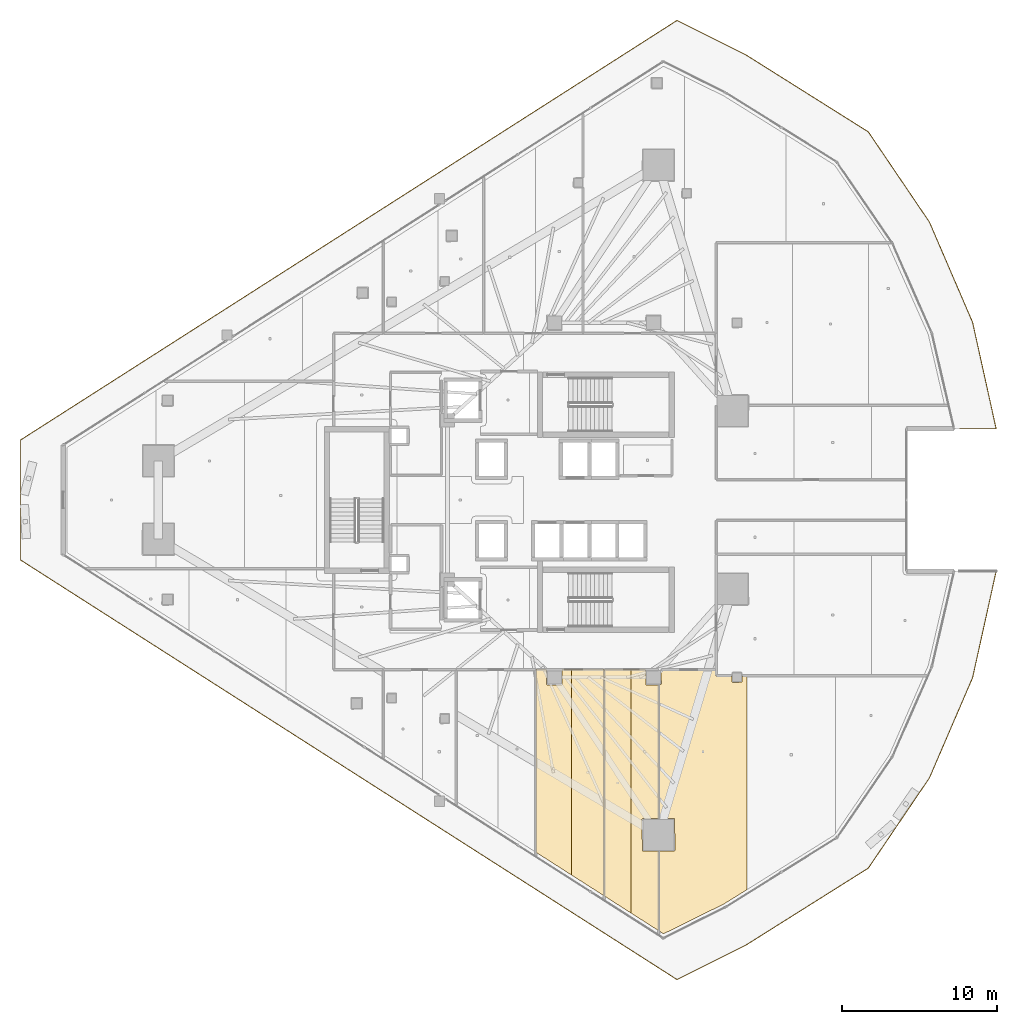
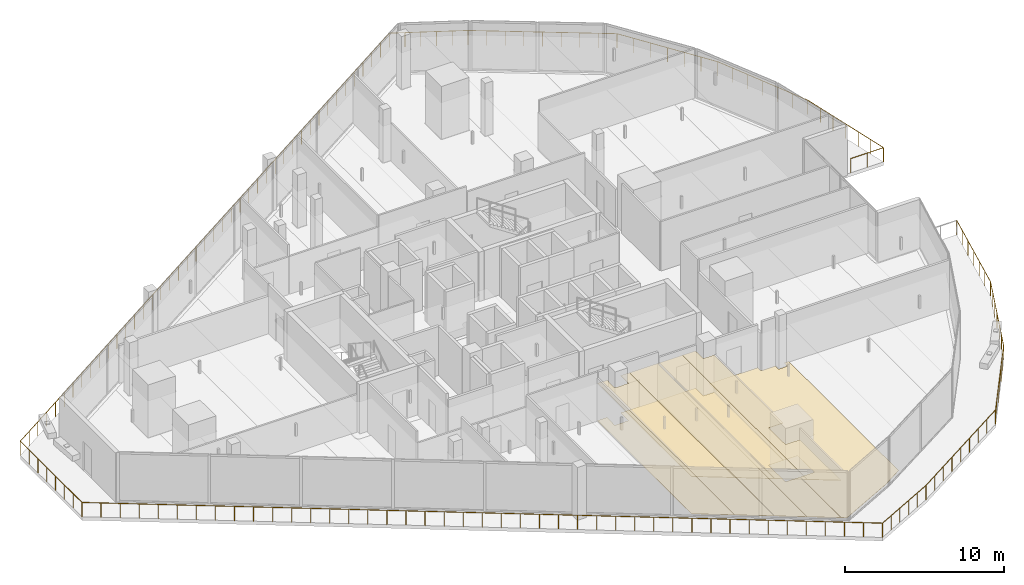
# One storey, part 33 of 37: 9 coverings, 1 railing.
"""IFC4 building model written with IfcOpenShell, lengths in metres."""

from ifc_helpers import new_model, si_unit, direction, frame, origin, origin_2d, place, context, subcontext, project, spatial, polyline, circle, outline, extrude, material, layer, layer_set, type_object, element, save


model = new_model("IFC4")

# Units and contexts
model_context = context("Model", 3, precision=1e-05, world=origin(), true_north=direction((0.0, 1.0)))
body_context = subcontext(model_context, "Body", "Model", "MODEL_VIEW")
ifc_project = project(units=[si_unit("LENGTHUNIT", "METRE"), si_unit("AREAUNIT", "SQUARE_METRE"), si_unit("VOLUMEUNIT", "CUBIC_METRE"), si_unit("PLANEANGLEUNIT", "RADIAN"), si_unit("MASSUNIT", "GRAM", prefix="KILO")], contexts=[model_context])

# Site, building, storey
site_placement = place(None, origin())
site = spatial("IfcSite", under=ifc_project, at=site_placement, CompositionType="ELEMENT")
building_placement = place(site_placement, origin())
building = spatial("IfcBuilding", under=site, at=building_placement, Name="Qorvath Tower", CompositionType="ELEMENT")
storey_placement = place(building_placement, frame((0.0, 0.0, 184.800048828125)))
storey = spatial("IfcBuildingStorey", under=building, at=storey_placement, Name="L42", CompositionType="ELEMENT", Elevation=184.800048828125)

# Coverings
ifc_material_1 = material(Name="Acoustic mineral fibre ceiling tile", Category="gypsum")
ifc_layer_1 = layer(ifc_material_1, 0.030029296875)
ifc_layer_set_1 = layer_set([ifc_layer_1], Name="COV-CEIL")
covering_type_1 = type_object("IfcCoveringType", Name="COV-CEIL", PredefinedType="CEILING", material=ifc_layer_set_1)
covering_1_placement = place(storey_placement, frame((0.0, 0.0, 2.849853515625)))
element("IfcCovering", 1, at=covering_1_placement, inside=storey, type_object=covering_type_1, Name="L42 Suspended Acoustic Ceiling 020", PredefinedType="CEILING", context=body_context, shape_type="SweptSolid", body=[
    extrude(outline(polyline([(-24.0947265625, -10.962890625), (-24.779541015625, -10.962890625), (-24.779541015625, -22.76123046875), (-22.486572265625, -24.226806640625), (-22.486572265625, -10.962890625), (-23.105224609375, -10.962890625), (-23.107666015625, -11.9423828125), (-24.050048828125, -11.9599609375), (-24.110107421875, -11.89990234375), (-24.0947265625, -10.962890625)])), origin(), (0.0, 0.0, 1.0), 0.030029296875),
])
covering_2_placement = place(storey_placement, frame((0.0, 0.0, 2.849853515625)))
element("IfcCovering", 2, at=covering_2_placement, inside=storey, type_object=covering_type_1, Name="L42 Suspended Acoustic Ceiling 021", PredefinedType="CEILING", context=body_context, shape_type="SweptSolid", body=[
    extrude(outline(polyline([(-22.486572265625, -10.962890625), (-22.486572265625, -24.226806640625), (-20.387451171875, -25.568359375), (-20.387451171875, -10.962890625), (-22.486572265625, -10.962890625)])), origin(), (0.0, 0.0, 1.0), 0.030029296875),
])
covering_3_placement = place(storey_placement, frame((0.0, 0.0, 2.849853515625)))
element("IfcCovering", 3, at=covering_3_placement, inside=storey, type_object=covering_type_1, Name="L42 Suspended Acoustic Ceiling 022", PredefinedType="CEILING", context=body_context, shape_type="SweptSolid", body=[
    extrude(outline(polyline([(-18.646484375, -26.68115234375), (-18.646484375, -10.962890625), (-20.369384765625, -10.962890625), (-20.369384765625, -25.579833984375), (-18.646484375, -26.68115234375)])), origin(), (0.0, 0.0, 1.0), 0.030029296875),
])
covering_4_placement = place(storey_placement, frame((0.0, 0.0, 2.849853515625)))
element("IfcCovering", 4, at=covering_4_placement, inside=storey, type_object=covering_type_1, Name="L42 Suspended Acoustic Ceiling 023", PredefinedType="CEILING", context=body_context, shape_type="SweptSolid", body=[
    extrude(outline(polyline([(-17.87158203125, -20.567138671875), (-16.86474609375, -20.567138671875), (-16.86474609375, -11.9599609375), (-17.6923828125, -11.9423828125), (-17.694580078125, -10.962890625), (-18.646484375, -10.962890625), (-18.646484375, -26.68115234375), (-16.86474609375, -27.81982421875), (-16.86474609375, -22.68701171875), (-17.9140625, -22.66943359375), (-17.931640625, -20.627197265625), (-17.87158203125, -20.567138671875)])), origin(), (0.0, 0.0, 1.0), 0.030029296875),
])
ifc_material_2 = material(Name="Low-VOC modular carpet tile", Category="textile")
ifc_layer_2 = layer(ifc_material_2, 0.014892578125)
ifc_layer_set_2 = layer_set([ifc_layer_2], Name="COV-FLOOR-CPT")
covering_type_2 = type_object("IfcCoveringType", Name="COV-FLOOR-CPT", PredefinedType="FLOORING", material=ifc_layer_set_2)
covering_5_placement = place(storey_placement, origin())
element("IfcCovering", 5, at=covering_5_placement, inside=storey, type_object=covering_type_2, Name="L42 Floor Finish 020", PredefinedType="FLOORING", context=body_context, shape_type="SweptSolid", body=[
    extrude(outline(polyline([(-24.0947265625, -10.962890625), (-24.779541015625, -10.962890625), (-24.779541015625, -22.76123046875), (-22.486572265625, -24.226806640625), (-22.486572265625, -10.962890625), (-23.105224609375, -10.962890625), (-23.107666015625, -11.9423828125), (-24.050048828125, -11.9599609375), (-24.110107421875, -11.89990234375), (-24.0947265625, -10.962890625)])), origin(), (0.0, 0.0, 1.0), 0.014892578125),
])
covering_6_placement = place(storey_placement, origin())
element("IfcCovering", 6, at=covering_6_placement, inside=storey, type_object=covering_type_2, Name="L42 Floor Finish 021", PredefinedType="FLOORING", context=body_context, shape_type="SweptSolid", body=[
    extrude(outline(polyline([(-22.486572265625, -10.962890625), (-22.486572265625, -24.226806640625), (-20.387451171875, -25.568359375), (-20.387451171875, -10.962890625), (-22.486572265625, -10.962890625)])), origin(), (0.0, 0.0, 1.0), 0.014892578125),
])
covering_7_placement = place(storey_placement, origin())
element("IfcCovering", 7, at=covering_7_placement, inside=storey, type_object=covering_type_2, Name="L42 Floor Finish 022", PredefinedType="FLOORING", context=body_context, shape_type="SweptSolid", body=[
    extrude(outline(polyline([(-18.646484375, -26.68115234375), (-18.646484375, -10.962890625), (-20.369384765625, -10.962890625), (-20.369384765625, -25.579833984375), (-18.646484375, -26.68115234375)])), origin(), (0.0, 0.0, 1.0), 0.014892578125),
])
covering_8_placement = place(storey_placement, origin())
element("IfcCovering", 8, at=covering_8_placement, inside=storey, type_object=covering_type_2, Name="L42 Floor Finish 023", PredefinedType="FLOORING", context=body_context, shape_type="SweptSolid", body=[
    extrude(outline(polyline([(-17.87158203125, -20.567138671875), (-16.86474609375, -20.567138671875), (-16.86474609375, -11.9599609375), (-17.6923828125, -11.9423828125), (-17.694580078125, -10.962890625), (-18.646484375, -10.962890625), (-18.646484375, -26.68115234375), (-16.86474609375, -27.81982421875), (-16.86474609375, -22.68701171875), (-17.9140625, -22.66943359375), (-17.931640625, -20.627197265625), (-17.87158203125, -20.567138671875)])), origin(), (0.0, 0.0, 1.0), 0.014892578125),
])
covering_9_placement = place(storey_placement, origin())
element("IfcCovering", 9, at=covering_9_placement, inside=storey, type_object=covering_type_2, Name="L42 Floor Finish 024", PredefinedType="FLOORING", context=body_context, shape_type="SweptSolid", body=[
    extrude(outline(polyline([(-16.8466796875, -27.83154296875), (-16.5458984375, -28.023681640625), (-12.6318359375, -26.089111328125), (-11.142578125, -25.159912109375), (-11.142578125, -11.35888671875), (-11.465087890625, -11.358642578125), (-11.482666015625, -11.767333984375), (-12.074951171875, -11.784912109375), (-12.135009765625, -11.72509765625), (-12.135009765625, -11.359375), (-13.153564453125, -11.357177734375), (-13.155029296875, -10.962890625), (-16.7021484375, -10.970703125), (-16.68994140625, -11.89990234375), (-16.8466796875, -11.9599609375), (-16.8466796875, -20.567138671875), (-15.829345703125, -20.584716796875), (-15.811767578125, -22.627197265625), (-15.87158203125, -22.68701171875), (-16.8466796875, -22.68701171875), (-16.8466796875, -27.83154296875)])), origin(), (0.0, 0.0, 1.0), 0.014892578125),
])

# Railing
ifc_material_3 = material(Name="Laminated safety glass and stainless steel AISI 316", Category="steel")
railing_type = type_object("IfcRailingType", Name="RL-EXT-GRD", PredefinedType="GUARDRAIL", material=ifc_material_3)
railing_placement = place(storey_placement, frame((4.9453125, -4.600830078125, 0.0)))
element("IfcRailing", 10, at=railing_placement, inside=storey, type_object=railing_type, Name="Loggia Perimeter Guardrail L42-1.1", PredefinedType="GUARDRAIL", context=body_context, shape_type="SweptSolid", body=[
    extrude(circle(Radius=0.02392578125, at=origin_2d()), frame((0.0, 0.0, 1.09619140625), z_axis=(-0.216101134356, -0.976370984683, 0.0), x_axis=(0.976370984683, -0.216101134356, 0.0)), (0.0, 0.0, 1.0), 7.045166015625),
    extrude(circle(Radius=0.02392578125, at=origin_2d()), frame((-1.5224609375, -6.878662109375, 1.09619140625), z_axis=(-0.395478650481, -0.918475169514, 0.0), x_axis=(0.918475169514, -0.395478650481, 0.0)), (0.0, 0.0, 1.0), 7.045654296875),
    extrude(circle(Radius=0.02392578125, at=origin_2d()), frame((-4.308837890625, -13.349853515625, 1.09619140625), z_axis=(-0.560826690673, -0.827933223774, 0.0), x_axis=(0.827933223774, -0.560826690673, 0.0)), (0.0, 0.0, 1.0), 7.045166015625),
    extrude(circle(Radius=0.02392578125, at=origin_2d()), frame((-8.260009765625, -19.182861328125, 1.09619140625), z_axis=(-0.84650166767, -0.532386069157, 0.0), x_axis=(0.532386069157, -0.84650166767, 0.0)), (0.0, 0.0, 1.0), 9.36865234375),
    extrude(circle(Radius=0.02392578125, at=origin_2d()), frame((-16.190673828125, -24.170654296875, 1.09619140625), z_axis=(-0.894437057166, -0.447193862623, 0.0), x_axis=(0.447193862623, -0.894437057166, 0.0)), (0.0, 0.0, 1.0), 4.948974609375),
    extrude(circle(Radius=0.02392578125, at=origin_2d()), frame((-20.6171875, -26.3837890625, 1.09619140625), z_axis=(-0.84260371591, 0.538534100996, 0.0), x_axis=(-0.538534100996, -0.84260371591, 0.0)), (0.0, 0.0, 1.0), 50.34326171875),
    extrude(circle(Radius=0.02392578125, at=origin_2d()), frame((-63.03662109375, 0.727783203125, 1.09619140625), z_axis=(0.0, 1.0, 0.0), x_axis=(-1.0, 0.0, 0.0)), (0.0, 0.0, 1.0), 7.74609375),
    extrude(circle(Radius=0.02392578125, at=origin_2d()), frame((-63.03662109375, 8.473876953125, 1.09619140625), z_axis=(0.84260371591, 0.538534100996, 0.0), x_axis=(-0.538534100996, 0.84260371591, 0.0)), (0.0, 0.0, 1.0), 50.34326171875),
    extrude(circle(Radius=0.02392578125, at=origin_2d()), frame((-20.6171875, 35.58544921875, 1.09619140625), z_axis=(0.894437057166, -0.447193862623, 0.0), x_axis=(0.447193862623, 0.894437057166, 0.0)), (0.0, 0.0, 1.0), 4.948974609375),
    extrude(circle(Radius=0.02392578125, at=origin_2d()), frame((-16.190673828125, 33.372314453125, 1.09619140625), z_axis=(0.84650166767, -0.532386069157, 0.0), x_axis=(0.532386069157, 0.84650166767, 0.0)), (0.0, 0.0, 1.0), 9.36865234375),
    extrude(circle(Radius=0.02392578125, at=origin_2d()), frame((-8.260009765625, 28.384521484375, 1.09619140625), z_axis=(0.560826690673, -0.827933223774, 0.0), x_axis=(0.827933223774, 0.560826690673, 0.0)), (0.0, 0.0, 1.0), 7.045166015625),
    extrude(circle(Radius=0.02392578125, at=origin_2d()), frame((-4.308837890625, 22.551513671875, 1.09619140625), z_axis=(0.395478650481, -0.918475169514, 0.0), x_axis=(0.918475169514, 0.395478650481, 0.0)), (0.0, 0.0, 1.0), 7.045654296875),
    extrude(circle(Radius=0.02392578125, at=origin_2d()), frame((-1.5224609375, 16.080322265625, 1.09619140625), z_axis=(0.216101134356, -0.976370984683, 0.0), x_axis=(0.976370984683, 0.216101134356, 0.0)), (0.0, 0.0, 1.0), 7.045166015625),
    extrude(circle(Radius=0.02392578125, at=origin_2d()), frame((0.0, 9.20166015625, 1.09619140625), z_axis=(-1.0, 0.0, 0.0), x_axis=(0.0, -1.0, 0.0)), (0.0, 0.0, 1.0), 2.36669921875),
    extrude(circle(Radius=0.02099609375, at=origin_2d()), origin(), (0.0, 0.0, 1.0), 1.072021484375),
    extrude(circle(Radius=0.02099609375, at=origin_2d()), frame((-0.253662109375, -1.146484375, 0.0)), (0.0, 0.0, 1.0), 1.072021484375),
    extrude(circle(Radius=0.02099609375, at=origin_2d()), frame((-0.507568359375, -2.29296875, 0.0)), (0.0, 0.0, 1.0), 1.072021484375),
    extrude(circle(Radius=0.02099609375, at=origin_2d()), frame((-0.76123046875, -3.439453125, 0.0)), (0.0, 0.0, 1.0), 1.072021484375),
    extrude(circle(Radius=0.02099609375, at=origin_2d()), frame((-1.014892578125, -4.585693359375, 0.0)), (0.0, 0.0, 1.0), 1.072021484375),
    extrude(circle(Radius=0.02099609375, at=origin_2d()), frame((-1.268798828125, -5.732177734375, 0.0)), (0.0, 0.0, 1.0), 1.072021484375),
    extrude(circle(Radius=0.02099609375, at=origin_2d()), frame((-1.5224609375, -6.878662109375, 0.0)), (0.0, 0.0, 1.0), 1.072021484375),
    extrude(circle(Radius=0.02099609375, at=origin_2d()), frame((-1.98681640625, -7.957275390625, 0.0)), (0.0, 0.0, 1.0), 1.072021484375),
    extrude(circle(Radius=0.02099609375, at=origin_2d()), frame((-2.451171875, -9.03564453125, 0.0)), (0.0, 0.0, 1.0), 1.072021484375),
    extrude(circle(Radius=0.02099609375, at=origin_2d()), frame((-2.91552734375, -10.1142578125, 0.0)), (0.0, 0.0, 1.0), 1.072021484375),
    extrude(circle(Radius=0.02099609375, at=origin_2d()), frame((-3.380126953125, -11.19287109375, 0.0)), (0.0, 0.0, 1.0), 1.072021484375),
    extrude(circle(Radius=0.02099609375, at=origin_2d()), frame((-3.844482421875, -12.271240234375, 0.0)), (0.0, 0.0, 1.0), 1.072021484375),
    extrude(circle(Radius=0.02099609375, at=origin_2d()), frame((-4.308837890625, -13.349853515625, 0.0)), (0.0, 0.0, 1.0), 1.072021484375),
    extrude(circle(Radius=0.02099609375, at=origin_2d()), frame((-4.96728515625, -14.322021484375, 0.0)), (0.0, 0.0, 1.0), 1.072021484375),
    extrude(circle(Radius=0.02099609375, at=origin_2d()), frame((-5.6259765625, -15.294189453125, 0.0)), (0.0, 0.0, 1.0), 1.072021484375),
    extrude(circle(Radius=0.02099609375, at=origin_2d()), frame((-6.284423828125, -16.266357421875, 0.0)), (0.0, 0.0, 1.0), 1.072021484375),
    extrude(circle(Radius=0.02099609375, at=origin_2d()), frame((-6.94287109375, -17.238525390625, 0.0)), (0.0, 0.0, 1.0), 1.072021484375),
    extrude(circle(Radius=0.02099609375, at=origin_2d()), frame((-7.6015625, -18.210693359375, 0.0)), (0.0, 0.0, 1.0), 1.072021484375),
    extrude(circle(Radius=0.02099609375, at=origin_2d()), frame((-8.260009765625, -19.182861328125, 0.0)), (0.0, 0.0, 1.0), 1.072021484375),
    extrude(circle(Radius=0.02099609375, at=origin_2d()), frame((-9.25146484375, -19.806396484375, 0.0)), (0.0, 0.0, 1.0), 1.072021484375),
    extrude(circle(Radius=0.02099609375, at=origin_2d()), frame((-10.24267578125, -20.4296875, 0.0)), (0.0, 0.0, 1.0), 1.072021484375),
    extrude(circle(Radius=0.02099609375, at=origin_2d()), frame((-11.23388671875, -21.05322265625, 0.0)), (0.0, 0.0, 1.0), 1.072021484375),
    extrude(circle(Radius=0.02099609375, at=origin_2d()), frame((-12.225341796875, -21.6767578125, 0.0)), (0.0, 0.0, 1.0), 1.072021484375),
    extrude(circle(Radius=0.02099609375, at=origin_2d()), frame((-13.216796875, -22.30029296875, 0.0)), (0.0, 0.0, 1.0), 1.072021484375),
    extrude(circle(Radius=0.02099609375, at=origin_2d()), frame((-14.2080078125, -22.923828125, 0.0)), (0.0, 0.0, 1.0), 1.072021484375),
    extrude(circle(Radius=0.02099609375, at=origin_2d()), frame((-15.19921875, -23.547119140625, 0.0)), (0.0, 0.0, 1.0), 1.072021484375),
    extrude(circle(Radius=0.02099609375, at=origin_2d()), frame((-16.190673828125, -24.170654296875, 0.0)), (0.0, 0.0, 1.0), 1.072021484375),
    extrude(circle(Radius=0.02099609375, at=origin_2d()), frame((-17.075927734375, -24.61328125, 0.0)), (0.0, 0.0, 1.0), 1.072021484375),
    extrude(circle(Radius=0.02099609375, at=origin_2d()), frame((-17.961181640625, -25.055908203125, 0.0)), (0.0, 0.0, 1.0), 1.072021484375),
    extrude(circle(Radius=0.02099609375, at=origin_2d()), frame((-18.8466796875, -25.49853515625, 0.0)), (0.0, 0.0, 1.0), 1.072021484375),
    extrude(circle(Radius=0.02099609375, at=origin_2d()), frame((-19.73193359375, -25.941162109375, 0.0)), (0.0, 0.0, 1.0), 1.072021484375),
    extrude(circle(Radius=0.02099609375, at=origin_2d()), frame((-20.6171875, -26.3837890625, 0.0)), (0.0, 0.0, 1.0), 1.072021484375),
    extrude(circle(Radius=0.02099609375, at=origin_2d()), frame((-21.627197265625, -25.73828125, 0.0)), (0.0, 0.0, 1.0), 1.072021484375),
    extrude(circle(Radius=0.02099609375, at=origin_2d()), frame((-22.63720703125, -25.0927734375, 0.0)), (0.0, 0.0, 1.0), 1.072021484375),
    extrude(circle(Radius=0.02099609375, at=origin_2d()), frame((-23.647216796875, -24.447265625, 0.0)), (0.0, 0.0, 1.0), 1.072021484375),
    extrude(circle(Radius=0.02099609375, at=origin_2d()), frame((-24.6572265625, -23.8017578125, 0.0)), (0.0, 0.0, 1.0), 1.072021484375),
    extrude(circle(Radius=0.02099609375, at=origin_2d()), frame((-25.667236328125, -23.15625, 0.0)), (0.0, 0.0, 1.0), 1.072021484375),
    extrude(circle(Radius=0.02099609375, at=origin_2d()), frame((-26.677001953125, -22.5107421875, 0.0)), (0.0, 0.0, 1.0), 1.072021484375),
    extrude(circle(Radius=0.02099609375, at=origin_2d()), frame((-27.68701171875, -21.865234375, 0.0)), (0.0, 0.0, 1.0), 1.072021484375),
    extrude(circle(Radius=0.02099609375, at=origin_2d()), frame((-28.697021484375, -21.2197265625, 0.0)), (0.0, 0.0, 1.0), 1.072021484375),
    extrude(circle(Radius=0.02099609375, at=origin_2d()), frame((-29.70703125, -20.57421875, 0.0)), (0.0, 0.0, 1.0), 1.072021484375),
    extrude(circle(Radius=0.02099609375, at=origin_2d()), frame((-30.717041015625, -19.9287109375, 0.0)), (0.0, 0.0, 1.0), 1.072021484375),
    extrude(circle(Radius=0.02099609375, at=origin_2d()), frame((-31.72705078125, -19.283203125, 0.0)), (0.0, 0.0, 1.0), 1.072021484375),
    extrude(circle(Radius=0.02099609375, at=origin_2d()), frame((-32.737060546875, -18.6376953125, 0.0)), (0.0, 0.0, 1.0), 1.072021484375),
    extrude(circle(Radius=0.02099609375, at=origin_2d()), frame((-33.7470703125, -17.9921875, 0.0)), (0.0, 0.0, 1.0), 1.072021484375),
    extrude(circle(Radius=0.02099609375, at=origin_2d()), frame((-34.757080078125, -17.3466796875, 0.0)), (0.0, 0.0, 1.0), 1.072021484375),
    extrude(circle(Radius=0.02099609375, at=origin_2d()), frame((-35.76708984375, -16.701171875, 0.0)), (0.0, 0.0, 1.0), 1.072021484375),
    extrude(circle(Radius=0.02099609375, at=origin_2d()), frame((-36.77685546875, -16.0556640625, 0.0)), (0.0, 0.0, 1.0), 1.072021484375),
    extrude(circle(Radius=0.02099609375, at=origin_2d()), frame((-37.786865234375, -15.41015625, 0.0)), (0.0, 0.0, 1.0), 1.072021484375),
    extrude(circle(Radius=0.02099609375, at=origin_2d()), frame((-38.796875, -14.7646484375, 0.0)), (0.0, 0.0, 1.0), 1.072021484375),
    extrude(circle(Radius=0.02099609375, at=origin_2d()), frame((-39.806884765625, -14.119140625, 0.0)), (0.0, 0.0, 1.0), 1.072021484375),
    extrude(circle(Radius=0.02099609375, at=origin_2d()), frame((-40.81689453125, -13.4736328125, 0.0)), (0.0, 0.0, 1.0), 1.072021484375),
    extrude(circle(Radius=0.02099609375, at=origin_2d()), frame((-41.826904296875, -12.828125, 0.0)), (0.0, 0.0, 1.0), 1.072021484375),
    extrude(circle(Radius=0.02099609375, at=origin_2d()), frame((-42.8369140625, -12.182373046875, 0.0)), (0.0, 0.0, 1.0), 1.072021484375),
    extrude(circle(Radius=0.02099609375, at=origin_2d()), frame((-43.846923828125, -11.536865234375, 0.0)), (0.0, 0.0, 1.0), 1.072021484375),
    extrude(circle(Radius=0.02099609375, at=origin_2d()), frame((-44.85693359375, -10.891357421875, 0.0)), (0.0, 0.0, 1.0), 1.072021484375),
    extrude(circle(Radius=0.02099609375, at=origin_2d()), frame((-45.866943359375, -10.245849609375, 0.0)), (0.0, 0.0, 1.0), 1.072021484375),
    extrude(circle(Radius=0.02099609375, at=origin_2d()), frame((-46.876953125, -9.600341796875, 0.0)), (0.0, 0.0, 1.0), 1.072021484375),
    extrude(circle(Radius=0.02099609375, at=origin_2d()), frame((-47.88671875, -8.954833984375, 0.0)), (0.0, 0.0, 1.0), 1.072021484375),
    extrude(circle(Radius=0.02099609375, at=origin_2d()), frame((-48.896728515625, -8.309326171875, 0.0)), (0.0, 0.0, 1.0), 1.072021484375),
    extrude(circle(Radius=0.02099609375, at=origin_2d()), frame((-49.90673828125, -7.663818359375, 0.0)), (0.0, 0.0, 1.0), 1.072021484375),
    extrude(circle(Radius=0.02099609375, at=origin_2d()), frame((-50.916748046875, -7.018310546875, 0.0)), (0.0, 0.0, 1.0), 1.072021484375),
    extrude(circle(Radius=0.02099609375, at=origin_2d()), frame((-51.9267578125, -6.372802734375, 0.0)), (0.0, 0.0, 1.0), 1.072021484375),
    extrude(circle(Radius=0.02099609375, at=origin_2d()), frame((-52.936767578125, -5.727294921875, 0.0)), (0.0, 0.0, 1.0), 1.072021484375),
    extrude(circle(Radius=0.02099609375, at=origin_2d()), frame((-53.94677734375, -5.081787109375, 0.0)), (0.0, 0.0, 1.0), 1.072021484375),
    extrude(circle(Radius=0.02099609375, at=origin_2d()), frame((-54.956787109375, -4.436279296875, 0.0)), (0.0, 0.0, 1.0), 1.072021484375),
    extrude(circle(Radius=0.02099609375, at=origin_2d()), frame((-55.966796875, -3.790771484375, 0.0)), (0.0, 0.0, 1.0), 1.072021484375),
    extrude(circle(Radius=0.02099609375, at=origin_2d()), frame((-56.976806640625, -3.145263671875, 0.0)), (0.0, 0.0, 1.0), 1.072021484375),
    extrude(circle(Radius=0.02099609375, at=origin_2d()), frame((-57.986572265625, -2.499755859375, 0.0)), (0.0, 0.0, 1.0), 1.072021484375),
    extrude(circle(Radius=0.02099609375, at=origin_2d()), frame((-58.99658203125, -1.854248046875, 0.0)), (0.0, 0.0, 1.0), 1.072021484375),
    extrude(circle(Radius=0.02099609375, at=origin_2d()), frame((-60.006591796875, -1.208740234375, 0.0)), (0.0, 0.0, 1.0), 1.072021484375),
    extrude(circle(Radius=0.02099609375, at=origin_2d()), frame((-61.0166015625, -0.563232421875, 0.0)), (0.0, 0.0, 1.0), 1.072021484375),
    extrude(circle(Radius=0.02099609375, at=origin_2d()), frame((-62.026611328125, 0.082275390625, 0.0)), (0.0, 0.0, 1.0), 1.072021484375),
    extrude(circle(Radius=0.02099609375, at=origin_2d()), frame((-63.03662109375, 0.727783203125, 0.0)), (0.0, 0.0, 1.0), 1.072021484375),
    extrude(circle(Radius=0.02099609375, at=origin_2d()), frame((-63.03662109375, 1.83447265625, 0.0)), (0.0, 0.0, 1.0), 1.072021484375),
    extrude(circle(Radius=0.02099609375, at=origin_2d()), frame((-63.03662109375, 2.94091796875, 0.0)), (0.0, 0.0, 1.0), 1.072021484375),
    extrude(circle(Radius=0.02099609375, at=origin_2d()), frame((-63.03662109375, 4.047607421875, 0.0)), (0.0, 0.0, 1.0), 1.072021484375),
    extrude(circle(Radius=0.02099609375, at=origin_2d()), frame((-63.03662109375, 5.154052734375, 0.0)), (0.0, 0.0, 1.0), 1.072021484375),
    extrude(circle(Radius=0.02099609375, at=origin_2d()), frame((-63.03662109375, 6.2607421875, 0.0)), (0.0, 0.0, 1.0), 1.072021484375),
    extrude(circle(Radius=0.02099609375, at=origin_2d()), frame((-63.03662109375, 7.3671875, 0.0)), (0.0, 0.0, 1.0), 1.072021484375),
    extrude(circle(Radius=0.02099609375, at=origin_2d()), frame((-63.03662109375, 8.473876953125, 0.0)), (0.0, 0.0, 1.0), 1.072021484375),
    extrude(circle(Radius=0.02099609375, at=origin_2d()), frame((-62.026611328125, 9.119384765625, 0.0)), (0.0, 0.0, 1.0), 1.072021484375),
    extrude(circle(Radius=0.02099609375, at=origin_2d()), frame((-61.0166015625, 9.764892578125, 0.0)), (0.0, 0.0, 1.0), 1.072021484375),
    extrude(circle(Radius=0.02099609375, at=origin_2d()), frame((-60.006591796875, 10.410400390625, 0.0)), (0.0, 0.0, 1.0), 1.072021484375),
    extrude(circle(Radius=0.02099609375, at=origin_2d()), frame((-58.99658203125, 11.055908203125, 0.0)), (0.0, 0.0, 1.0), 1.072021484375),
    extrude(circle(Radius=0.02099609375, at=origin_2d()), frame((-57.986572265625, 11.701416015625, 0.0)), (0.0, 0.0, 1.0), 1.072021484375),
    extrude(circle(Radius=0.02099609375, at=origin_2d()), frame((-56.976806640625, 12.346923828125, 0.0)), (0.0, 0.0, 1.0), 1.072021484375),
    extrude(circle(Radius=0.02099609375, at=origin_2d()), frame((-55.966796875, 12.992431640625, 0.0)), (0.0, 0.0, 1.0), 1.072021484375),
    extrude(circle(Radius=0.02099609375, at=origin_2d()), frame((-54.956787109375, 13.637939453125, 0.0)), (0.0, 0.0, 1.0), 1.072021484375),
    extrude(circle(Radius=0.02099609375, at=origin_2d()), frame((-53.94677734375, 14.283447265625, 0.0)), (0.0, 0.0, 1.0), 1.072021484375),
    extrude(circle(Radius=0.02099609375, at=origin_2d()), frame((-52.936767578125, 14.928955078125, 0.0)), (0.0, 0.0, 1.0), 1.072021484375),
    extrude(circle(Radius=0.02099609375, at=origin_2d()), frame((-51.9267578125, 15.574462890625, 0.0)), (0.0, 0.0, 1.0), 1.072021484375),
    extrude(circle(Radius=0.02099609375, at=origin_2d()), frame((-50.916748046875, 16.219970703125, 0.0)), (0.0, 0.0, 1.0), 1.072021484375),
    extrude(circle(Radius=0.02099609375, at=origin_2d()), frame((-49.90673828125, 16.865478515625, 0.0)), (0.0, 0.0, 1.0), 1.072021484375),
    extrude(circle(Radius=0.02099609375, at=origin_2d()), frame((-48.896728515625, 17.510986328125, 0.0)), (0.0, 0.0, 1.0), 1.072021484375),
    extrude(circle(Radius=0.02099609375, at=origin_2d()), frame((-47.88671875, 18.156494140625, 0.0)), (0.0, 0.0, 1.0), 1.072021484375),
    extrude(circle(Radius=0.02099609375, at=origin_2d()), frame((-46.876953125, 18.802001953125, 0.0)), (0.0, 0.0, 1.0), 1.072021484375),
    extrude(circle(Radius=0.02099609375, at=origin_2d()), frame((-45.866943359375, 19.447509765625, 0.0)), (0.0, 0.0, 1.0), 1.072021484375),
    extrude(circle(Radius=0.02099609375, at=origin_2d()), frame((-44.85693359375, 20.093017578125, 0.0)), (0.0, 0.0, 1.0), 1.072021484375),
    extrude(circle(Radius=0.02099609375, at=origin_2d()), frame((-43.846923828125, 20.738525390625, 0.0)), (0.0, 0.0, 1.0), 1.072021484375),
    extrude(circle(Radius=0.02099609375, at=origin_2d()), frame((-42.8369140625, 21.384033203125, 0.0)), (0.0, 0.0, 1.0), 1.072021484375),
    extrude(circle(Radius=0.02099609375, at=origin_2d()), frame((-41.826904296875, 22.02978515625, 0.0)), (0.0, 0.0, 1.0), 1.072021484375),
    extrude(circle(Radius=0.02099609375, at=origin_2d()), frame((-40.81689453125, 22.67529296875, 0.0)), (0.0, 0.0, 1.0), 1.072021484375),
    extrude(circle(Radius=0.02099609375, at=origin_2d()), frame((-39.806884765625, 23.32080078125, 0.0)), (0.0, 0.0, 1.0), 1.072021484375),
    extrude(circle(Radius=0.02099609375, at=origin_2d()), frame((-38.796875, 23.96630859375, 0.0)), (0.0, 0.0, 1.0), 1.072021484375),
    extrude(circle(Radius=0.02099609375, at=origin_2d()), frame((-37.786865234375, 24.61181640625, 0.0)), (0.0, 0.0, 1.0), 1.072021484375),
    extrude(circle(Radius=0.02099609375, at=origin_2d()), frame((-36.77685546875, 25.25732421875, 0.0)), (0.0, 0.0, 1.0), 1.072021484375),
    extrude(circle(Radius=0.02099609375, at=origin_2d()), frame((-35.76708984375, 25.90283203125, 0.0)), (0.0, 0.0, 1.0), 1.072021484375),
    extrude(circle(Radius=0.02099609375, at=origin_2d()), frame((-34.757080078125, 26.54833984375, 0.0)), (0.0, 0.0, 1.0), 1.072021484375),
    extrude(circle(Radius=0.02099609375, at=origin_2d()), frame((-33.7470703125, 27.19384765625, 0.0)), (0.0, 0.0, 1.0), 1.072021484375),
    extrude(circle(Radius=0.02099609375, at=origin_2d()), frame((-32.737060546875, 27.83935546875, 0.0)), (0.0, 0.0, 1.0), 1.072021484375),
    extrude(circle(Radius=0.02099609375, at=origin_2d()), frame((-31.72705078125, 28.48486328125, 0.0)), (0.0, 0.0, 1.0), 1.072021484375),
    extrude(circle(Radius=0.02099609375, at=origin_2d()), frame((-30.717041015625, 29.13037109375, 0.0)), (0.0, 0.0, 1.0), 1.072021484375),
    extrude(circle(Radius=0.02099609375, at=origin_2d()), frame((-29.70703125, 29.77587890625, 0.0)), (0.0, 0.0, 1.0), 1.072021484375),
    extrude(circle(Radius=0.02099609375, at=origin_2d()), frame((-28.697021484375, 30.42138671875, 0.0)), (0.0, 0.0, 1.0), 1.072021484375),
    extrude(circle(Radius=0.02099609375, at=origin_2d()), frame((-27.68701171875, 31.06689453125, 0.0)), (0.0, 0.0, 1.0), 1.072021484375),
    extrude(circle(Radius=0.02099609375, at=origin_2d()), frame((-26.677001953125, 31.71240234375, 0.0)), (0.0, 0.0, 1.0), 1.072021484375),
    extrude(circle(Radius=0.02099609375, at=origin_2d()), frame((-25.667236328125, 32.35791015625, 0.0)), (0.0, 0.0, 1.0), 1.072021484375),
    extrude(circle(Radius=0.02099609375, at=origin_2d()), frame((-24.6572265625, 33.00341796875, 0.0)), (0.0, 0.0, 1.0), 1.072021484375),
    extrude(circle(Radius=0.02099609375, at=origin_2d()), frame((-23.647216796875, 33.64892578125, 0.0)), (0.0, 0.0, 1.0), 1.072021484375),
    extrude(circle(Radius=0.02099609375, at=origin_2d()), frame((-22.63720703125, 34.29443359375, 0.0)), (0.0, 0.0, 1.0), 1.072021484375),
    extrude(circle(Radius=0.02099609375, at=origin_2d()), frame((-21.627197265625, 34.93994140625, 0.0)), (0.0, 0.0, 1.0), 1.072021484375),
    extrude(circle(Radius=0.02099609375, at=origin_2d()), frame((-20.6171875, 35.58544921875, 0.0)), (0.0, 0.0, 1.0), 1.072021484375),
    extrude(circle(Radius=0.02099609375, at=origin_2d()), frame((-19.73193359375, 35.142822265625, 0.0)), (0.0, 0.0, 1.0), 1.072021484375),
    extrude(circle(Radius=0.02099609375, at=origin_2d()), frame((-18.8466796875, 34.7001953125, 0.0)), (0.0, 0.0, 1.0), 1.072021484375),
    extrude(circle(Radius=0.02099609375, at=origin_2d()), frame((-17.961181640625, 34.257568359375, 0.0)), (0.0, 0.0, 1.0), 1.072021484375),
    extrude(circle(Radius=0.02099609375, at=origin_2d()), frame((-17.075927734375, 33.81494140625, 0.0)), (0.0, 0.0, 1.0), 1.072021484375),
    extrude(circle(Radius=0.02099609375, at=origin_2d()), frame((-16.190673828125, 33.372314453125, 0.0)), (0.0, 0.0, 1.0), 1.072021484375),
    extrude(circle(Radius=0.02099609375, at=origin_2d()), frame((-15.19921875, 32.748779296875, 0.0)), (0.0, 0.0, 1.0), 1.072021484375),
    extrude(circle(Radius=0.02099609375, at=origin_2d()), frame((-14.2080078125, 32.12548828125, 0.0)), (0.0, 0.0, 1.0), 1.072021484375),
    extrude(circle(Radius=0.02099609375, at=origin_2d()), frame((-13.216796875, 31.501953125, 0.0)), (0.0, 0.0, 1.0), 1.072021484375),
    extrude(circle(Radius=0.02099609375, at=origin_2d()), frame((-12.225341796875, 30.87841796875, 0.0)), (0.0, 0.0, 1.0), 1.072021484375),
    extrude(circle(Radius=0.02099609375, at=origin_2d()), frame((-11.23388671875, 30.2548828125, 0.0)), (0.0, 0.0, 1.0), 1.072021484375),
    extrude(circle(Radius=0.02099609375, at=origin_2d()), frame((-10.24267578125, 29.63134765625, 0.0)), (0.0, 0.0, 1.0), 1.072021484375),
    extrude(circle(Radius=0.02099609375, at=origin_2d()), frame((-9.25146484375, 29.008056640625, 0.0)), (0.0, 0.0, 1.0), 1.072021484375),
    extrude(circle(Radius=0.02099609375, at=origin_2d()), frame((-8.260009765625, 28.384521484375, 0.0)), (0.0, 0.0, 1.0), 1.072021484375),
    extrude(circle(Radius=0.02099609375, at=origin_2d()), frame((-7.6015625, 27.412353515625, 0.0)), (0.0, 0.0, 1.0), 1.072021484375),
    extrude(circle(Radius=0.02099609375, at=origin_2d()), frame((-6.94287109375, 26.440185546875, 0.0)), (0.0, 0.0, 1.0), 1.072021484375),
    extrude(circle(Radius=0.02099609375, at=origin_2d()), frame((-6.284423828125, 25.468017578125, 0.0)), (0.0, 0.0, 1.0), 1.072021484375),
    extrude(circle(Radius=0.02099609375, at=origin_2d()), frame((-5.6259765625, 24.495849609375, 0.0)), (0.0, 0.0, 1.0), 1.072021484375),
    extrude(circle(Radius=0.02099609375, at=origin_2d()), frame((-4.96728515625, 23.523681640625, 0.0)), (0.0, 0.0, 1.0), 1.072021484375),
    extrude(circle(Radius=0.02099609375, at=origin_2d()), frame((-4.308837890625, 22.551513671875, 0.0)), (0.0, 0.0, 1.0), 1.072021484375),
    extrude(circle(Radius=0.02099609375, at=origin_2d()), frame((-3.844482421875, 21.472900390625, 0.0)), (0.0, 0.0, 1.0), 1.072021484375),
    extrude(circle(Radius=0.02099609375, at=origin_2d()), frame((-3.380126953125, 20.39453125, 0.0)), (0.0, 0.0, 1.0), 1.072021484375),
    extrude(circle(Radius=0.02099609375, at=origin_2d()), frame((-2.91552734375, 19.31591796875, 0.0)), (0.0, 0.0, 1.0), 1.072021484375),
    extrude(circle(Radius=0.02099609375, at=origin_2d()), frame((-2.451171875, 18.2373046875, 0.0)), (0.0, 0.0, 1.0), 1.072021484375),
    extrude(circle(Radius=0.02099609375, at=origin_2d()), frame((-1.98681640625, 17.158935546875, 0.0)), (0.0, 0.0, 1.0), 1.072021484375),
    extrude(circle(Radius=0.02099609375, at=origin_2d()), frame((-1.5224609375, 16.080322265625, 0.0)), (0.0, 0.0, 1.0), 1.072021484375),
    extrude(circle(Radius=0.02099609375, at=origin_2d()), frame((-1.268798828125, 14.933837890625, 0.0)), (0.0, 0.0, 1.0), 1.072021484375),
    extrude(circle(Radius=0.02099609375, at=origin_2d()), frame((-1.014892578125, 13.787353515625, 0.0)), (0.0, 0.0, 1.0), 1.072021484375),
    extrude(circle(Radius=0.02099609375, at=origin_2d()), frame((-0.76123046875, 12.64111328125, 0.0)), (0.0, 0.0, 1.0), 1.072021484375),
    extrude(circle(Radius=0.02099609375, at=origin_2d()), frame((-0.507568359375, 11.49462890625, 0.0)), (0.0, 0.0, 1.0), 1.072021484375),
    extrude(circle(Radius=0.02099609375, at=origin_2d()), frame((-0.253662109375, 10.34814453125, 0.0)), (0.0, 0.0, 1.0), 1.072021484375),
    extrude(circle(Radius=0.02099609375, at=origin_2d()), frame((0.0, 9.20166015625, 0.0)), (0.0, 0.0, 1.0), 1.072021484375),
    extrude(circle(Radius=0.02099609375, at=origin_2d()), frame((-1.183349609375, 9.20166015625, 0.0)), (0.0, 0.0, 1.0), 1.072021484375),
    extrude(circle(Radius=0.02099609375, at=origin_2d()), frame((-2.36669921875, 9.20166015625, 0.0)), (0.0, 0.0, 1.0), 1.072021484375),
])

save(model, "model.ifc")
